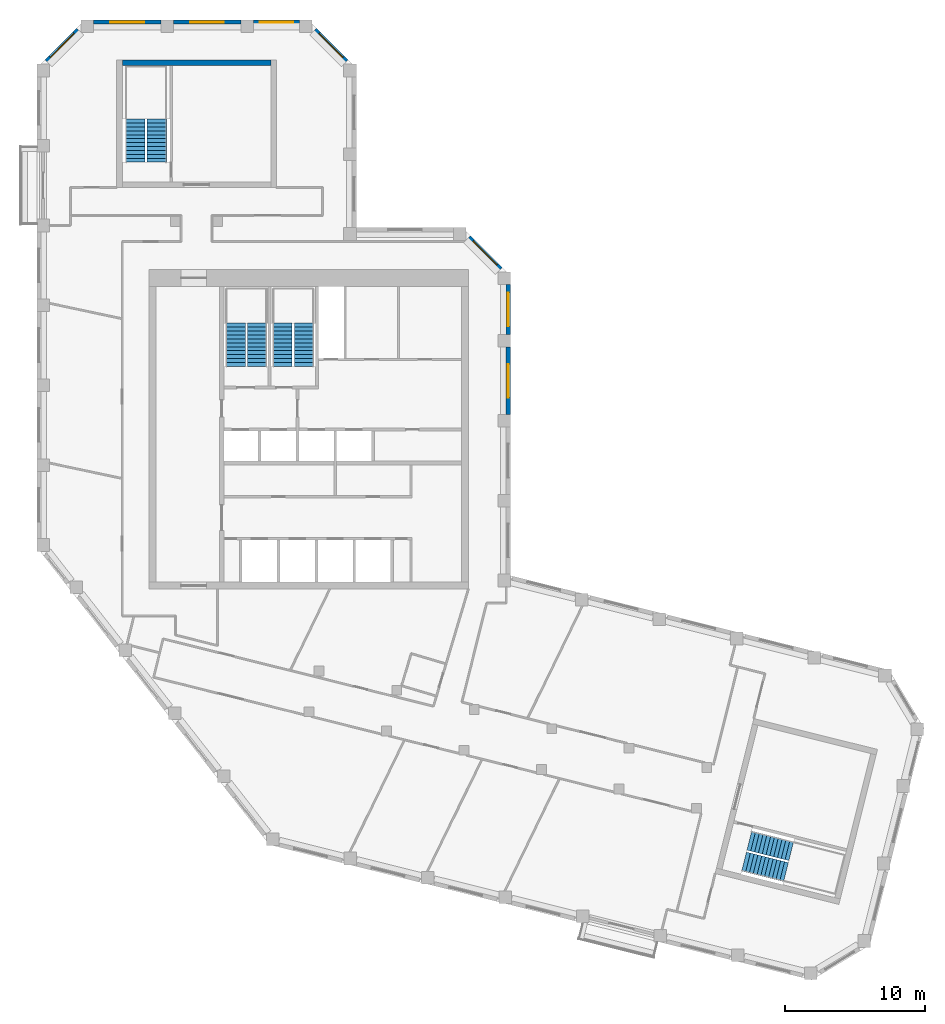
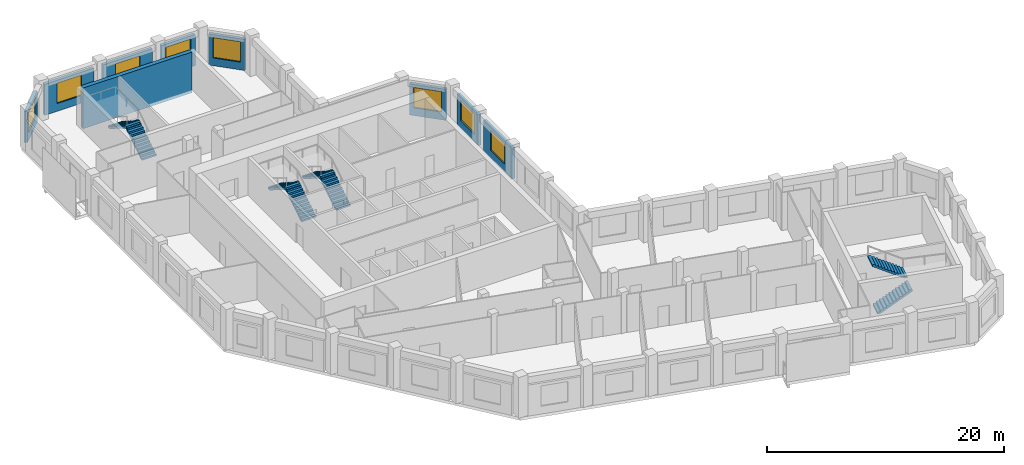
# One storey, part 7 of 8: 9 walls, 8 stair flights, 8 windows, 8 openings, 4 elements without a shape of their own.
"""IFC4 building model written with IfcOpenShell, lengths in metres."""

import ifcopenshell
import ifcopenshell.guid

model = None  # the IFC model being written
_history = None  # IfcOwnerHistory: only IFC2X3 demands one
_inside = {}  # id of a spatial element -> (the spatial element, [elements in it])
_under = {}  # id of a project, library or spatial element -> (it, [spatial elements below it])
_declared = {}  # id of a project -> (the project, [libraries it declares])
_typed = {}  # id of a type object -> (the type object, [elements of that type])
_made_of = {}  # id of a material, layer set ... -> (it, [elements and type objects made of it])


def new_model(schema):
    """Start an empty IFC model of exactly this schema.

    Asked for "IFC4X3", IfcOpenShell would pick the latest addendum, in which some entities
    have other attributes; the version numbers below select the first issue.
    IFC2X3 requires an IfcOwnerHistory on every rooted entity: one is made here for all.
    """
    global model, _history
    if schema == "IFC4X3":
        model = ifcopenshell.file(schema_version=(4, 3, 0, 0))
    else:
        model = ifcopenshell.file(schema=schema)
    _inside.clear()
    _under.clear()
    _declared.clear()
    _typed.clear()
    _made_of.clear()
    _history = None
    if model.schema == "IFC2X3":
        org = make("IfcOrganization", Name="unknown")
        user = make(
            "IfcPersonAndOrganization",
            ThePerson=make("IfcPerson", FamilyName="unknown"),
            TheOrganization=org,
        )
        app = make(
            "IfcApplication",
            ApplicationDeveloper=org,
            Version="unknown",
            ApplicationFullName="unknown",
            ApplicationIdentifier="unknown",
        )
        _history = make(
            "IfcOwnerHistory",
            OwningUser=user,
            OwningApplication=app,
            ChangeAction="ADDED",
            CreationDate=0,
        )
    return model


def make(cls, **values):
    """One entity of the class cls with the attributes given. An attribute that is None is left unset."""
    return model.create_entity(
        cls, **{name: value for name, value in values.items() if value is not None}
    )


def rooted(cls, **values):
    """An entity with a GlobalId (a new one), such as an element, a storey or a relation."""
    return make(cls, GlobalId=ifcopenshell.guid.new(), OwnerHistory=_history, **values)


def si_unit(unit_type, name, prefix=None):
    """IfcSIUnit, for example si_unit("LENGTHUNIT", "METRE", prefix="MILLI")."""
    return make("IfcSIUnit", UnitType=unit_type, Prefix=prefix, Name=name)


def assignment(units):
    """IfcUnitAssignment: the units of a project."""
    return None if units is None else make("IfcUnitAssignment", Units=units)


def point(xyz):
    """IfcCartesianPoint."""
    return None if xyz is None else make("IfcCartesianPoint", Coordinates=xyz)


def direction(xyz):
    """IfcDirection."""
    return None if xyz is None else make("IfcDirection", DirectionRatios=xyz)


def frame(location, z_axis=None, x_axis=None):
    """IfcAxis2Placement3D, a coordinate frame: its origin and axes. An axis left out is left unset."""
    return make(
        "IfcAxis2Placement3D",
        Location=point(location),
        Axis=direction(z_axis),
        RefDirection=direction(x_axis),
    )


def frame_2d(location, x_axis=None):
    """IfcAxis2Placement2D, a coordinate frame in the plane: its origin and x axis."""
    return make(
        "IfcAxis2Placement2D", Location=point(location), RefDirection=direction(x_axis)
    )


def origin():
    """The frame at (0, 0, 0) with its axes left unset."""
    return frame((0.0, 0.0, 0.0))


def place(relative_to, where):
    """IfcLocalPlacement: puts the frame where relative to a parent placement (None: the world)."""
    return make(
        "IfcLocalPlacement", PlacementRelTo=relative_to, RelativePlacement=where
    )


def context(
    kind, dimensions, precision=None, world=None, true_north=None, identifier=None
):
    """IfcGeometricRepresentationContext, for example the 3D "Model" context."""
    return make(
        "IfcGeometricRepresentationContext",
        ContextIdentifier=identifier,
        ContextType=kind,
        CoordinateSpaceDimension=dimensions,
        Precision=precision,
        WorldCoordinateSystem=world,
        TrueNorth=true_north,
    )


def subcontext(parent, identifier, kind, view, scale=None):
    """IfcGeometricRepresentationSubContext, for example "Body" below "Model"."""
    return make(
        "IfcGeometricRepresentationSubContext",
        ContextIdentifier=identifier,
        ContextType=kind,
        ParentContext=parent,
        TargetScale=scale,
        TargetView=view,
    )


def project(units=None, contexts=None):
    """IfcProject with its units and contexts."""
    return rooted(
        "IfcProject",
        Name="project",
        RepresentationContexts=contexts,
        UnitsInContext=assignment(units),
    )


def spatial(cls, under=None, at=None, **own):
    """A site, building, storey or space (cls), placed at a placement, below another one or the project."""
    s = rooted(cls, ObjectPlacement=at, **own)
    if under is not None:
        _under.setdefault(under.id(), (under, []))[1].append(s)
    return s


def polyline(points):
    """IfcPolyline through the points."""
    return make("IfcPolyline", Points=[point(p) for p in points])


def profile(cls, at=None, kind="AREA", **sizes):
    """A parametric profile (cls). Its sizes go by their IFC names, for example OverallWidth=200.0."""
    return make(cls, ProfileType=kind, Position=at, **sizes)


def rectangle(**sizes):
    """IfcRectangleProfileDef."""
    return profile("IfcRectangleProfileDef", **sizes)


def outline(outer, holes=None, kind="AREA"):
    """IfcArbitraryClosedProfileDef: a profile drawn as a closed curve; with holes, ...WithVoids."""
    if holes is None:
        return make("IfcArbitraryClosedProfileDef", ProfileType=kind, OuterCurve=outer)
    return make(
        "IfcArbitraryProfileDefWithVoids",
        ProfileType=kind,
        OuterCurve=outer,
        InnerCurves=holes,
    )


def extrude(swept, where, along, depth):
    """IfcExtrudedAreaSolid: the profile swept, set in the frame where, extruded along a direction by depth."""
    return make(
        "IfcExtrudedAreaSolid",
        SweptArea=swept,
        Position=where,
        ExtrudedDirection=direction(along),
        Depth=depth,
    )


def shape(context_of_items, identifier, shape_type, items):
    """IfcShapeRepresentation: the items that make up one representation, for example the "Body"."""
    return make(
        "IfcShapeRepresentation",
        ContextOfItems=context_of_items,
        RepresentationIdentifier=identifier,
        RepresentationType=shape_type,
        Items=items,
    )


def material(Name=None, Category=None):
    """IfcMaterial."""
    return make("IfcMaterial", Name=Name, Category=Category)


def layer(
    of_material, thickness, ventilated=None, Name=None, Category=None, Priority=None
):
    """IfcMaterialLayer: one layer of a wall or slab, of a material (None: an air gap)."""
    return make(
        "IfcMaterialLayer",
        Material=of_material,
        LayerThickness=thickness,
        IsVentilated=ventilated,
        Name=Name,
        Category=Category,
        Priority=Priority,
    )


def layer_set(layers, Name=None):
    """IfcMaterialLayerSet."""
    return make("IfcMaterialLayerSet", MaterialLayers=layers, LayerSetName=Name)


def made_of(thing, what):
    """Note that an element or type object is made of a material, layer set ...; save() writes the relation."""
    if what is not None:
        _made_of.setdefault(what.id(), (what, []))[1].append(thing)
    return thing


def type_object(cls, material=None, **own):
    """A type object (cls), such as IfcWallType, which elements share."""
    return made_of(rooted(cls, **own), material)


def element(
    cls,
    number,
    at=None,
    inside=None,
    cuts=None,
    type_object=None,
    material=None,
    context=None,
    identifier="Body",
    shape_type=None,
    held_by="IfcProductDefinitionShape",
    body=None,
    shapes=None,
    **own,
):
    """One element of the class cls, such as IfcWall. Its Tag is "e" and its number.

    at: its placement. inside: the storey or other place that contains it. cuts: it is an
    opening in that element (IfcRelVoidsElement). A single representation is given by context,
    identifier, shape_type and body (its items); several are given by shapes. held_by: the class
    of the entity that holds the representations. save() writes the other relations.
    """
    e = rooted(cls, Tag="e%d" % number, ObjectPlacement=at, **own)
    if body is not None:
        shapes = [shape(context, identifier, shape_type, body)]
    if shapes is not None:
        e.Representation = make(held_by, Representations=shapes)
    if inside is not None:
        _inside.setdefault(inside.id(), (inside, []))[1].append(e)
    if cuts is not None:
        rooted(
            "IfcRelVoidsElement", RelatingBuildingElement=cuts, RelatedOpeningElement=e
        )
    if type_object is not None:
        _typed.setdefault(type_object.id(), (type_object, []))[1].append(e)
    return made_of(e, material)


def fill(opening, filler):
    """IfcRelFillsElement: the door or window that sits in an opening."""
    return rooted(
        "IfcRelFillsElement",
        RelatingOpeningElement=opening,
        RelatedBuildingElement=filler,
    )


def aggregate(whole, parts):
    """IfcRelAggregates: a whole, such as a stair, and the parts it consists of."""
    return rooted("IfcRelAggregates", RelatingObject=whole, RelatedObjects=parts)


def save(model, path):
    """Write the relations noted so far, then the file.

    IfcRelAggregates (storeys below a building ...), IfcRelContainedInSpatialStructure (elements
    in a storey), IfcRelDefinesByType, IfcRelAssociatesMaterial and IfcRelDeclares: one each for
    every whole, place, type object, material and project.
    """
    for whole, parts in _under.values():
        aggregate(whole, parts)
    for where, things in _inside.values():
        rooted(
            "IfcRelContainedInSpatialStructure",
            RelatedElements=things,
            RelatingStructure=where,
        )
    for kind, things in _typed.values():
        rooted("IfcRelDefinesByType", RelatedObjects=things, RelatingType=kind)
    for what, things in _made_of.values():
        rooted("IfcRelAssociatesMaterial", RelatedObjects=things, RelatingMaterial=what)
    for by, libraries in _declared.values():
        rooted("IfcRelDeclares", RelatingContext=by, RelatedDefinitions=libraries)
    model.write(path)


model = new_model("IFC4")

# Units and contexts
model_context = context("Model", 3, precision=1e-05, world=origin(), true_north=direction((0.0, 1.0)))
body_context = subcontext(model_context, "Body", "Model", "MODEL_VIEW")
ifc_project = project(units=[si_unit("LENGTHUNIT", "METRE"), si_unit("AREAUNIT", "SQUARE_METRE"), si_unit("VOLUMEUNIT", "CUBIC_METRE"), si_unit("PLANEANGLEUNIT", "RADIAN"), si_unit("MASSUNIT", "GRAM", prefix="KILO")], contexts=[model_context])

# Site, building, storey
site_placement = place(None, origin())
site = spatial("IfcSite", under=ifc_project, at=site_placement, CompositionType="ELEMENT")
building_placement = place(site_placement, origin())
building = spatial("IfcBuilding", under=site, at=building_placement, Name="Meshkara Civic Tower", CompositionType="ELEMENT")
storey_placement = place(building_placement, frame((0.0, 0.0, 375.0)))
storey = spatial("IfcBuildingStorey", under=building, at=storey_placement, Name="L86", CompositionType="ELEMENT", Elevation=375.0)

# Wall, opening, window
ifc_material_1 = material(Name="Insulated infill panel with bronze anodised aluminium cladding", Category="aluminium")
ifc_layer_1 = layer(ifc_material_1, 0.300048828125)
ifc_layer_set_1 = layer_set([ifc_layer_1], Name="EXTERNAL INFILL WALL 300")
wall_type_1 = type_object("IfcWallType", Name="EXTERNAL INFILL WALL 300", PredefinedType="SOLIDWALL", material=ifc_layer_set_1)
wall_1_placement = place(storey_placement, frame((33.64990234375, 26.569091796875, 0.0), z_axis=(0.0, 0.0, 1.0), x_axis=(0.0, 1.0, 0.0)))
wall_1 = element("IfcWall", 1, at=wall_1_placement, inside=storey, type_object=wall_type_1, Name="External wall", PredefinedType="SOLIDWALL", context=body_context, shape_type="SweptSolid", body=[
    extrude(rectangle(XDim=4.7998046875, YDim=0.300048828125, at=frame_2d((2.39990234375, 0.0))), origin(), (0.0, 0.0, 1.0), 3.199951171875),
])
opening_1_placement = place(wall_1_placement, frame((1.199951171875, 0.0, 0.800048828125)))
opening_1 = element("IfcOpeningElement", 2, at=opening_1_placement, cuts=wall_1, Name="Opening W7", PredefinedType="OPENING", context=body_context, shape_type="SweptSolid", body=[
    extrude(rectangle(XDim=2.39990234375, YDim=2.10009765625, at=frame_2d((1.199951171875, 1.050048828125))), frame((0.0, 0.159912109375, 0.0), z_axis=(0.0, -1.0, 0.0), x_axis=(1.0, 0.0, 0.0)), (0.0, 0.0, 1.0), 0.320068359375),
])
ifc_material_2 = material(Name="Tinted double glazing", Category="glass")
window_type = type_object("IfcWindowType", Name="WINDOW 2400x2100", PartitioningType="DOUBLE_PANEL_VERTICAL", PredefinedType="WINDOW", material=ifc_material_2)
window_1_placement = place(opening_1_placement, origin())
window_1 = element("IfcWindow", 3, at=window_1_placement, inside=storey, type_object=window_type, Name="Window", OverallHeight=2.10009765625, OverallWidth=2.39990234375, PartitioningType="DOUBLE_PANEL_VERTICAL", PredefinedType="WINDOW", context=body_context, shape_type="SweptSolid", body=[
    extrude(rectangle(XDim=2.39990234375, YDim=2.10009765625, at=frame_2d((1.199951171875, 1.050048828125))), frame((0.0, 0.030029296875, 0.0), z_axis=(0.0, -1.0, 0.0), x_axis=(1.0, 0.0, 0.0)), (0.0, 0.0, 1.0), 0.06005859375),
])
fill(opening_1, window_1)

wall_2_placement = place(storey_placement, frame((33.64990234375, 32.26904296875, 0.0), z_axis=(0.0, 0.0, 1.0), x_axis=(0.0, 1.0, 0.0)))
wall_2 = element("IfcWall", 4, at=wall_2_placement, inside=storey, type_object=wall_type_1, Name="External wall", PredefinedType="SOLIDWALL", context=body_context, shape_type="SweptSolid", body=[
    extrude(rectangle(XDim=3.574951171875, YDim=0.300048828125, at=frame_2d((1.78759765625, 0.0))), origin(), (0.0, 0.0, 1.0), 3.199951171875),
])
opening_2_placement = place(wall_2_placement, frame((0.587890625, 0.0, 0.800048828125)))
opening_2 = element("IfcOpeningElement", 5, at=opening_2_placement, cuts=wall_2, Name="Opening W7", PredefinedType="OPENING", context=body_context, shape_type="SweptSolid", body=[
    extrude(rectangle(XDim=2.39990234375, YDim=2.10009765625, at=frame_2d((1.199951171875, 1.050048828125))), frame((0.0, 0.159912109375, 0.0), z_axis=(0.0, -1.0, 0.0), x_axis=(1.0, 0.0, 0.0)), (0.0, 0.0, 1.0), 0.320068359375),
])
window_2_placement = place(opening_2_placement, origin())
window_2 = element("IfcWindow", 6, at=window_2_placement, inside=storey, type_object=window_type, Name="Window", OverallHeight=2.10009765625, OverallWidth=2.39990234375, PartitioningType="DOUBLE_PANEL_VERTICAL", PredefinedType="WINDOW", context=body_context, shape_type="SweptSolid", body=[
    extrude(rectangle(XDim=2.39990234375, YDim=2.10009765625, at=frame_2d((1.199951171875, 1.050048828125))), frame((0.0, 0.030029296875, 0.0), z_axis=(0.0, -1.0, 0.0), x_axis=(1.0, 0.0, 0.0)), (0.0, 0.0, 1.0), 0.06005859375),
])
fill(opening_2, window_2)

wall_3_placement = place(storey_placement, frame((33.112060546875, 36.9560546875, 0.0), z_axis=(0.0, 0.0, 1.0), x_axis=(-0.707145041435, 0.707068518868, 0.0)))
wall_3 = element("IfcWall", 7, at=wall_3_placement, inside=storey, type_object=wall_type_1, Name="External wall", PredefinedType="SOLIDWALL", context=body_context, shape_type="SweptSolid", body=[
    extrude(rectangle(XDim=3.1904296875, YDim=0.300048828125, at=frame_2d((1.59521484375, 0.0))), origin(), (0.0, 0.0, 1.0), 3.199951171875),
])
opening_3_placement = place(wall_3_placement, frame((0.39501953125, 0.0, 0.800048828125)))
opening_3 = element("IfcOpeningElement", 8, at=opening_3_placement, cuts=wall_3, Name="Opening W7", PredefinedType="OPENING", context=body_context, shape_type="SweptSolid", body=[
    extrude(rectangle(XDim=2.39990234375, YDim=2.10009765625, at=frame_2d((1.199951171875, 1.050048828125))), frame((0.0, 0.159912109375, 0.0), z_axis=(0.0, -1.0, 0.0), x_axis=(1.0, 0.0, 0.0)), (0.0, 0.0, 1.0), 0.320068359375),
])
window_3_placement = place(opening_3_placement, origin())
window_3 = element("IfcWindow", 9, at=window_3_placement, inside=storey, type_object=window_type, Name="Window", OverallHeight=2.10009765625, OverallWidth=2.39990234375, PartitioningType="DOUBLE_PANEL_VERTICAL", PredefinedType="WINDOW", context=body_context, shape_type="SweptSolid", body=[
    extrude(rectangle(XDim=2.39990234375, YDim=2.10009765625, at=frame_2d((1.199951171875, 1.050048828125))), frame((0.0, 0.030029296875, 0.0), z_axis=(0.0, -1.0, 0.0), x_axis=(1.0, 0.0, 0.0)), (0.0, 0.0, 1.0), 0.06005859375),
])
fill(opening_3, window_3)

wall_4_placement = place(storey_placement, frame((22.112060546875, 51.77587890625, 0.0), z_axis=(0.0, 0.0, 1.0), x_axis=(-0.707106781187, 0.707106781187, 0.0)))
wall_4 = element("IfcWall", 10, at=wall_4_placement, inside=storey, type_object=wall_type_1, Name="External wall", PredefinedType="SOLIDWALL", context=body_context, shape_type="SweptSolid", body=[
    extrude(rectangle(XDim=3.190673828125, YDim=0.300048828125, at=frame_2d((1.59521484375, 0.0))), origin(), (0.0, 0.0, 1.0), 3.199951171875),
])
opening_4_placement = place(wall_4_placement, frame((0.39501953125, 0.0, 0.800048828125)))
opening_4 = element("IfcOpeningElement", 11, at=opening_4_placement, cuts=wall_4, Name="Opening W7", PredefinedType="OPENING", context=body_context, shape_type="SweptSolid", body=[
    extrude(rectangle(XDim=2.39990234375, YDim=2.10009765625, at=frame_2d((1.199951171875, 1.050048828125))), frame((0.0, 0.159912109375, 0.0), z_axis=(0.0, -1.0, 0.0), x_axis=(1.0, 0.0, 0.0)), (0.0, 0.0, 1.0), 0.320068359375),
])
window_4_placement = place(opening_4_placement, origin())
window_4 = element("IfcWindow", 12, at=window_4_placement, inside=storey, type_object=window_type, Name="Window", OverallHeight=2.10009765625, OverallWidth=2.39990234375, PartitioningType="DOUBLE_PANEL_VERTICAL", PredefinedType="WINDOW", context=body_context, shape_type="SweptSolid", body=[
    extrude(rectangle(XDim=2.39990234375, YDim=2.10009765625, at=frame_2d((1.199951171875, 1.050048828125))), frame((0.0, 0.030029296875, 0.0), z_axis=(0.0, -1.0, 0.0), x_axis=(1.0, 0.0, 0.0)), (0.0, 0.0, 1.0), 0.06005859375),
])
fill(opening_4, window_4)

wall_5_placement = place(storey_placement, frame((18.743896484375, 54.570068359375, 0.0), z_axis=(0.0, 0.0, 1.0), x_axis=(-1.0, 0.0, 0.0)))
wall_5 = element("IfcWall", 13, at=wall_5_placement, inside=storey, type_object=wall_type_1, Name="External wall", PredefinedType="SOLIDWALL", context=body_context, shape_type="SweptSolid", body=[
    extrude(rectangle(XDim=3.287841796875, YDim=0.300048828125, at=frame_2d((1.64404296875, 0.0))), origin(), (0.0, 0.0, 1.0), 3.199951171875),
])
opening_5_placement = place(wall_5_placement, frame((0.444091796875, 0.0, 0.800048828125)))
opening_5 = element("IfcOpeningElement", 14, at=opening_5_placement, cuts=wall_5, Name="Opening W7", PredefinedType="OPENING", context=body_context, shape_type="SweptSolid", body=[
    extrude(rectangle(XDim=2.39990234375, YDim=2.10009765625, at=frame_2d((1.199951171875, 1.050048828125))), frame((0.0, 0.159912109375, 0.0), z_axis=(0.0, -1.0, 0.0), x_axis=(1.0, 0.0, 0.0)), (0.0, 0.0, 1.0), 0.320068359375),
])
window_5_placement = place(opening_5_placement, origin())
window_5 = element("IfcWindow", 15, at=window_5_placement, inside=storey, type_object=window_type, Name="Window", OverallHeight=2.10009765625, OverallWidth=2.39990234375, PartitioningType="DOUBLE_PANEL_VERTICAL", PredefinedType="WINDOW", context=body_context, shape_type="SweptSolid", body=[
    extrude(rectangle(XDim=2.39990234375, YDim=2.10009765625, at=frame_2d((1.199951171875, 1.050048828125))), frame((0.0, 0.030029296875, 0.0), z_axis=(0.0, -1.0, 0.0), x_axis=(1.0, 0.0, 0.0)), (0.0, 0.0, 1.0), 0.06005859375),
])
fill(opening_5, window_5)

wall_6_placement = place(storey_placement, frame((14.555908203125, 54.570068359375, 0.0), z_axis=(0.0, 0.0, 1.0), x_axis=(-1.0, 0.0, 0.0)))
wall_6 = element("IfcWall", 16, at=wall_6_placement, inside=storey, type_object=wall_type_1, Name="External wall", PredefinedType="SOLIDWALL", context=body_context, shape_type="SweptSolid", body=[
    extrude(rectangle(XDim=4.7998046875, YDim=0.300048828125, at=frame_2d((2.39990234375, 0.0))), origin(), (0.0, 0.0, 1.0), 3.199951171875),
])
opening_6_placement = place(wall_6_placement, frame((1.199951171875, 0.0, 0.800048828125)))
opening_6 = element("IfcOpeningElement", 17, at=opening_6_placement, cuts=wall_6, Name="Opening W7", PredefinedType="OPENING", context=body_context, shape_type="SweptSolid", body=[
    extrude(rectangle(XDim=2.39990234375, YDim=2.10009765625, at=frame_2d((1.199951171875, 1.050048828125))), frame((0.0, 0.159912109375, 0.0), z_axis=(0.0, -1.0, 0.0), x_axis=(1.0, 0.0, 0.0)), (0.0, 0.0, 1.0), 0.320068359375),
])
window_6_placement = place(opening_6_placement, origin())
window_6 = element("IfcWindow", 18, at=window_6_placement, inside=storey, type_object=window_type, Name="Window", OverallHeight=2.10009765625, OverallWidth=2.39990234375, PartitioningType="DOUBLE_PANEL_VERTICAL", PredefinedType="WINDOW", context=body_context, shape_type="SweptSolid", body=[
    extrude(rectangle(XDim=2.39990234375, YDim=2.10009765625, at=frame_2d((1.199951171875, 1.050048828125))), frame((0.0, 0.030029296875, 0.0), z_axis=(0.0, -1.0, 0.0), x_axis=(1.0, 0.0, 0.0)), (0.0, 0.0, 1.0), 0.06005859375),
])
fill(opening_6, window_6)

wall_7_placement = place(storey_placement, frame((8.85595703125, 54.570068359375, 0.0), z_axis=(0.0, 0.0, 1.0), x_axis=(-1.0, 0.0, 0.0)))
wall_7 = element("IfcWall", 19, at=wall_7_placement, inside=storey, type_object=wall_type_1, Name="External wall", PredefinedType="SOLIDWALL", context=body_context, shape_type="SweptSolid", body=[
    extrude(rectangle(XDim=4.800048828125, YDim=0.300048828125, at=frame_2d((2.39990234375, 0.0))), origin(), (0.0, 0.0, 1.0), 3.199951171875),
])
opening_7_placement = place(wall_7_placement, frame((1.199951171875, 0.0, 0.800048828125)))
opening_7 = element("IfcOpeningElement", 20, at=opening_7_placement, cuts=wall_7, Name="Opening W7", PredefinedType="OPENING", context=body_context, shape_type="SweptSolid", body=[
    extrude(rectangle(XDim=2.39990234375, YDim=2.10009765625, at=frame_2d((1.199951171875, 1.050048828125))), frame((0.0, 0.159912109375, 0.0), z_axis=(0.0, -1.0, 0.0), x_axis=(1.0, 0.0, 0.0)), (0.0, 0.0, 1.0), 0.320068359375),
])
window_7_placement = place(opening_7_placement, origin())
window_7 = element("IfcWindow", 21, at=window_7_placement, inside=storey, type_object=window_type, Name="Window", OverallHeight=2.10009765625, OverallWidth=2.39990234375, PartitioningType="DOUBLE_PANEL_VERTICAL", PredefinedType="WINDOW", context=body_context, shape_type="SweptSolid", body=[
    extrude(rectangle(XDim=2.39990234375, YDim=2.10009765625, at=frame_2d((1.199951171875, 1.050048828125))), frame((0.0, 0.030029296875, 0.0), z_axis=(0.0, -1.0, 0.0), x_axis=(1.0, 0.0, 0.0)), (0.0, 0.0, 1.0), 0.06005859375),
])
fill(opening_7, window_7)

wall_8_placement = place(storey_placement, frame((2.944091796875, 54.031982421875, 0.0), z_axis=(0.0, 0.0, 1.0), x_axis=(-0.707106781187, -0.707106781187, 0.0)))
wall_8 = element("IfcWall", 22, at=wall_8_placement, inside=storey, type_object=wall_type_1, Name="External wall", PredefinedType="SOLIDWALL", context=body_context, shape_type="SweptSolid", body=[
    extrude(rectangle(XDim=3.190673828125, YDim=0.300048828125, at=frame_2d((1.59521484375, 0.0))), origin(), (0.0, 0.0, 1.0), 3.199951171875),
])
opening_8_placement = place(wall_8_placement, frame((0.39501953125, 0.0, 0.800048828125)))
opening_8 = element("IfcOpeningElement", 23, at=opening_8_placement, cuts=wall_8, Name="Opening W7", PredefinedType="OPENING", context=body_context, shape_type="SweptSolid", body=[
    extrude(rectangle(XDim=2.39990234375, YDim=2.10009765625, at=frame_2d((1.199951171875, 1.050048828125))), frame((0.0, 0.159912109375, 0.0), z_axis=(0.0, -1.0, 0.0), x_axis=(1.0, 0.0, 0.0)), (0.0, 0.0, 1.0), 0.320068359375),
])
window_8_placement = place(opening_8_placement, origin())
window_8 = element("IfcWindow", 24, at=window_8_placement, inside=storey, type_object=window_type, Name="Window", OverallHeight=2.10009765625, OverallWidth=2.39990234375, PartitioningType="DOUBLE_PANEL_VERTICAL", PredefinedType="WINDOW", context=body_context, shape_type="SweptSolid", body=[
    extrude(rectangle(XDim=2.39990234375, YDim=2.10009765625, at=frame_2d((1.199951171875, 1.050048828125))), frame((0.0, 0.030029296875, 0.0), z_axis=(0.0, -1.0, 0.0), x_axis=(1.0, 0.0, 0.0)), (0.0, 0.0, 1.0), 0.06005859375),
])
fill(opening_8, window_8)

# Wall
ifc_material_3 = material(Name="Concrete C50", Category="concrete")
ifc_layer_2 = layer(ifc_material_3, 0.39990234375)
ifc_layer_set_2 = layer_set([ifc_layer_2], Name="End core ring wall 400 C50")
wall_type_2 = type_object("IfcWallType", Name="End core ring wall 400 C50", PredefinedType="SHEAR", material=ifc_layer_set_2)
wall_9_placement = place(storey_placement, frame((6.10009765625, 51.669921875, -0.300048828125), z_axis=(0.0, 0.0, 1.0), x_axis=(1.0, 0.0, 0.0)))
element("IfcWall", 25, at=wall_9_placement, inside=storey, type_object=wall_type_2, Name="L86-C030", PredefinedType="SHEAR", context=body_context, shape_type="SweptSolid", body=[
    extrude(rectangle(XDim=10.599853515625, YDim=0.39990234375, at=frame_2d((5.2998046875, 0.0))), origin(), (0.0, 0.0, 1.0), 4.199951171875),
])

# Stair, stair flights
ifc_material_4 = material(Name="Precast concrete C40/50", Category="concrete")
stair_type = type_object("IfcStairType", Name="Exit stair half-turn 24 risers precast", PredefinedType="HALF_TURN_STAIR", material=ifc_material_4)
stair_1_placement = place(storey_placement, origin())
stair_1 = element("IfcStair", 26, at=stair_1_placement, inside=storey, type_object=stair_type, Name="L86 exit stair 1", PredefinedType="HALF_TURN_STAIR")
ifc_material_5 = material(Name="Precast concrete C40/50", Category="concrete")
stair_flight_type = type_object("IfcStairFlightType", Name="Exit stair flight 12 risers precast", PredefinedType="STRAIGHT", material=ifc_material_5)
stair_flight_1_placement = place(storey_placement, frame((15.72509765625, 30.0, 0.0), z_axis=(0.0, 0.0, 1.0), x_axis=(0.0, 1.0, 0.0)))
stair_flight_1 = element("IfcStairFlight", 27, at=stair_flight_1_placement, type_object=stair_flight_type, Name="ST1 flight 1", NumberOfRisers=12, NumberOfTreads=11, PredefinedType="STRAIGHT", RiserHeight=0.175, TreadLength=0.28, context=body_context, shape_type="SweptSolid", body=[
    extrude(outline(polyline([(0.0, 0.0), (0.0, 0.175048828125), (0.280029296875, 0.175048828125), (0.280029296875, 0.35009765625), (0.56005859375, 0.35009765625), (0.56005859375, 0.52490234375), (0.840087890625, 0.52490234375), (0.840087890625, 0.699951171875), (1.1201171875, 0.699951171875), (1.1201171875, 0.875), (1.39990234375, 0.875), (1.39990234375, 1.050048828125), (1.679931640625, 1.050048828125), (1.679931640625, 1.22509765625), (1.9599609375, 1.22509765625), (1.9599609375, 1.39990234375), (2.239990234375, 1.39990234375), (2.239990234375, 1.574951171875), (2.52001953125, 1.574951171875), (2.52001953125, 1.75), (2.800048828125, 1.75), (2.800048828125, 1.925048828125), (3.080078125, 1.925048828125), (3.080078125, 2.10009765625), (3.080078125, 1.748291015625), (0.28271484375, 0.0), (0.0, 0.0)])), frame((0.0, 0.699951171875, 0.0), z_axis=(0.0, -1.0, 0.0), x_axis=(1.0, 0.0, 0.0)), (0.0, 0.0, 1.0), 1.39990234375),
])
stair_flight_2_placement = place(storey_placement, frame((14.175048828125, 33.080078125, 2.10009765625), z_axis=(0.0, 0.0, 1.0), x_axis=(0.0, -1.0, 0.0)))
stair_flight_2 = element("IfcStairFlight", 28, at=stair_flight_2_placement, type_object=stair_flight_type, Name="ST1 flight 2", NumberOfRisers=12, NumberOfTreads=11, PredefinedType="STRAIGHT", RiserHeight=0.175, TreadLength=0.28, context=body_context, shape_type="SweptSolid", body=[
    extrude(outline(polyline([(0.0, 0.0), (0.0, 0.175048828125), (0.280029296875, 0.175048828125), (0.280029296875, 0.35009765625), (0.56005859375, 0.35009765625), (0.56005859375, 0.52490234375), (0.840087890625, 0.52490234375), (0.840087890625, 0.699951171875), (1.1201171875, 0.699951171875), (1.1201171875, 0.875), (1.39990234375, 0.875), (1.39990234375, 1.050048828125), (1.679931640625, 1.050048828125), (1.679931640625, 1.22509765625), (1.9599609375, 1.22509765625), (1.9599609375, 1.39990234375), (2.239990234375, 1.39990234375), (2.239990234375, 1.574951171875), (2.52001953125, 1.574951171875), (2.52001953125, 1.75), (2.800048828125, 1.75), (2.800048828125, 1.925048828125), (3.080078125, 1.925048828125), (3.080078125, 2.10009765625), (3.080078125, 1.748291015625), (0.28271484375, 0.0), (0.0, 0.0)])), frame((0.0, 0.699951171875, 0.0), z_axis=(0.0, -1.0, 0.0), x_axis=(1.0, 0.0, 0.0)), (0.0, 0.0, 1.0), 1.39990234375),
])
aggregate(stair_1, [stair_flight_1, stair_flight_2])

stair_2_placement = place(storey_placement, origin())
stair_2 = element("IfcStair", 29, at=stair_2_placement, inside=storey, type_object=stair_type, Name="L86 exit stair 2", PredefinedType="HALF_TURN_STAIR")
stair_flight_3_placement = place(storey_placement, frame((19.074951171875, 30.0, 0.0), z_axis=(0.0, 0.0, 1.0), x_axis=(0.0, 1.0, 0.0)))
stair_flight_3 = element("IfcStairFlight", 30, at=stair_flight_3_placement, type_object=stair_flight_type, Name="ST2 flight 1", NumberOfRisers=12, NumberOfTreads=11, PredefinedType="STRAIGHT", RiserHeight=0.175, TreadLength=0.28, context=body_context, shape_type="SweptSolid", body=[
    extrude(outline(polyline([(0.0, 0.0), (0.0, 0.175048828125), (0.280029296875, 0.175048828125), (0.280029296875, 0.35009765625), (0.56005859375, 0.35009765625), (0.56005859375, 0.52490234375), (0.840087890625, 0.52490234375), (0.840087890625, 0.699951171875), (1.1201171875, 0.699951171875), (1.1201171875, 0.875), (1.39990234375, 0.875), (1.39990234375, 1.050048828125), (1.679931640625, 1.050048828125), (1.679931640625, 1.22509765625), (1.9599609375, 1.22509765625), (1.9599609375, 1.39990234375), (2.239990234375, 1.39990234375), (2.239990234375, 1.574951171875), (2.52001953125, 1.574951171875), (2.52001953125, 1.75), (2.800048828125, 1.75), (2.800048828125, 1.925048828125), (3.080078125, 1.925048828125), (3.080078125, 2.10009765625), (3.080078125, 1.748291015625), (0.28271484375, 0.0), (0.0, 0.0)])), frame((0.0, 0.699951171875, 0.0), z_axis=(0.0, -1.0, 0.0), x_axis=(1.0, 0.0, 0.0)), (0.0, 0.0, 1.0), 1.39990234375),
])
stair_flight_4_placement = place(storey_placement, frame((17.52490234375, 33.080078125, 2.10009765625), z_axis=(0.0, 0.0, 1.0), x_axis=(0.0, -1.0, 0.0)))
stair_flight_4 = element("IfcStairFlight", 31, at=stair_flight_4_placement, type_object=stair_flight_type, Name="ST2 flight 2", NumberOfRisers=12, NumberOfTreads=11, PredefinedType="STRAIGHT", RiserHeight=0.175, TreadLength=0.28, context=body_context, shape_type="SweptSolid", body=[
    extrude(outline(polyline([(0.0, 0.0), (0.0, 0.175048828125), (0.280029296875, 0.175048828125), (0.280029296875, 0.35009765625), (0.56005859375, 0.35009765625), (0.56005859375, 0.52490234375), (0.840087890625, 0.52490234375), (0.840087890625, 0.699951171875), (1.1201171875, 0.699951171875), (1.1201171875, 0.875), (1.39990234375, 0.875), (1.39990234375, 1.050048828125), (1.679931640625, 1.050048828125), (1.679931640625, 1.22509765625), (1.9599609375, 1.22509765625), (1.9599609375, 1.39990234375), (2.239990234375, 1.39990234375), (2.239990234375, 1.574951171875), (2.52001953125, 1.574951171875), (2.52001953125, 1.75), (2.800048828125, 1.75), (2.800048828125, 1.925048828125), (3.080078125, 1.925048828125), (3.080078125, 2.10009765625), (3.080078125, 1.748291015625), (0.28271484375, 0.0), (0.0, 0.0)])), frame((0.0, 0.699951171875, 0.0), z_axis=(0.0, -1.0, 0.0), x_axis=(1.0, 0.0, 0.0)), (0.0, 0.0, 1.0), 1.39990234375),
])
aggregate(stair_2, [stair_flight_3, stair_flight_4])

stair_3_placement = place(storey_placement, origin())
stair_3 = element("IfcStair", 32, at=stair_3_placement, inside=storey, type_object=stair_type, Name="L86 exit stair A from L80", PredefinedType="HALF_TURN_STAIR")
stair_flight_5_placement = place(storey_placement, frame((8.574951171875, 44.570068359375, 0.0), z_axis=(0.0, 0.0, 1.0), x_axis=(0.0, 1.0, 0.0)))
stair_flight_5 = element("IfcStairFlight", 33, at=stair_flight_5_placement, type_object=stair_flight_type, Name="ESA6 flight 1", NumberOfRisers=12, NumberOfTreads=11, PredefinedType="STRAIGHT", RiserHeight=0.175, TreadLength=0.28, context=body_context, shape_type="SweptSolid", body=[
    extrude(outline(polyline([(0.0, 0.0), (0.0, 0.175048828125), (0.280029296875, 0.175048828125), (0.280029296875, 0.35009765625), (0.56005859375, 0.35009765625), (0.56005859375, 0.52490234375), (0.840087890625, 0.52490234375), (0.840087890625, 0.699951171875), (1.1201171875, 0.699951171875), (1.1201171875, 0.875), (1.39990234375, 0.875), (1.39990234375, 1.050048828125), (1.679931640625, 1.050048828125), (1.679931640625, 1.22509765625), (1.9599609375, 1.22509765625), (1.9599609375, 1.39990234375), (2.239990234375, 1.39990234375), (2.239990234375, 1.574951171875), (2.52001953125, 1.574951171875), (2.52001953125, 1.75), (2.800048828125, 1.75), (2.800048828125, 1.925048828125), (3.080078125, 1.925048828125), (3.080078125, 2.10009765625), (3.080078125, 1.748291015625), (0.28271484375, 0.0), (0.0, 0.0)])), frame((0.0, 0.699951171875, 0.0), z_axis=(0.0, -1.0, 0.0), x_axis=(1.0, 0.0, 0.0)), (0.0, 0.0, 1.0), 1.39990234375),
])
stair_flight_6_placement = place(storey_placement, frame((7.02490234375, 47.64990234375, 2.10009765625), z_axis=(0.0, 0.0, 1.0), x_axis=(0.0, -1.0, 0.0)))
stair_flight_6 = element("IfcStairFlight", 34, at=stair_flight_6_placement, type_object=stair_flight_type, Name="ESA6 flight 2", NumberOfRisers=12, NumberOfTreads=11, PredefinedType="STRAIGHT", RiserHeight=0.175, TreadLength=0.28, context=body_context, shape_type="SweptSolid", body=[
    extrude(outline(polyline([(0.0, 0.0), (0.0, 0.175048828125), (0.280029296875, 0.175048828125), (0.280029296875, 0.35009765625), (0.56005859375, 0.35009765625), (0.56005859375, 0.52490234375), (0.840087890625, 0.52490234375), (0.840087890625, 0.699951171875), (1.1201171875, 0.699951171875), (1.1201171875, 0.875), (1.39990234375, 0.875), (1.39990234375, 1.050048828125), (1.679931640625, 1.050048828125), (1.679931640625, 1.22509765625), (1.9599609375, 1.22509765625), (1.9599609375, 1.39990234375), (2.239990234375, 1.39990234375), (2.239990234375, 1.574951171875), (2.52001953125, 1.574951171875), (2.52001953125, 1.75), (2.800048828125, 1.75), (2.800048828125, 1.925048828125), (3.080078125, 1.925048828125), (3.080078125, 2.10009765625), (3.080078125, 1.748291015625), (0.28271484375, 0.0), (0.0, 0.0)])), frame((0.0, 0.699951171875, 0.0), z_axis=(0.0, -1.0, 0.0), x_axis=(1.0, 0.0, 0.0)), (0.0, 0.0, 1.0), 1.39990234375),
])
aggregate(stair_3, [stair_flight_5, stair_flight_6])

stair_4_placement = place(storey_placement, origin())
stair_4 = element("IfcStair", 35, at=stair_4_placement, inside=storey, type_object=stair_type, Name="L86 exit stair B from L80", PredefinedType="HALF_TURN_STAIR")
stair_flight_7_placement = place(storey_placement, frame((50.47607421875, -5.344482421875, 0.0), z_axis=(0.0, 0.0, 1.0), x_axis=(0.9703185901, -0.241830175344, 0.0)))
stair_flight_7 = element("IfcStairFlight", 36, at=stair_flight_7_placement, type_object=stair_flight_type, Name="ESB6 flight 1", NumberOfRisers=12, NumberOfTreads=11, PredefinedType="STRAIGHT", RiserHeight=0.175, TreadLength=0.28, context=body_context, shape_type="SweptSolid", body=[
    extrude(outline(polyline([(0.0, 0.0), (0.0, 0.175048828125), (0.280029296875, 0.175048828125), (0.280029296875, 0.35009765625), (0.56005859375, 0.35009765625), (0.56005859375, 0.52490234375), (0.840087890625, 0.52490234375), (0.840087890625, 0.699951171875), (1.1201171875, 0.699951171875), (1.1201171875, 0.875), (1.39990234375, 0.875), (1.39990234375, 1.050048828125), (1.679931640625, 1.050048828125), (1.679931640625, 1.22509765625), (1.9599609375, 1.22509765625), (1.9599609375, 1.39990234375), (2.239990234375, 1.39990234375), (2.239990234375, 1.574951171875), (2.52001953125, 1.574951171875), (2.52001953125, 1.75), (2.800048828125, 1.75), (2.800048828125, 1.925048828125), (3.080078125, 1.925048828125), (3.080078125, 2.10009765625), (3.080078125, 1.748291015625), (0.28271484375, 0.0), (0.0, 0.0)])), frame((0.0, 0.699951171875, 0.0), z_axis=(0.0, -1.0, 0.0), x_axis=(1.0, 0.0, 0.0)), (0.0, 0.0, 1.0), 1.39990234375),
])
stair_flight_8_placement = place(storey_placement, frame((53.83935546875, -4.58544921875, 2.10009765625), z_axis=(0.0, 0.0, 1.0), x_axis=(-0.9703185901, 0.241830175344, 0.0)))
stair_flight_8 = element("IfcStairFlight", 37, at=stair_flight_8_placement, type_object=stair_flight_type, Name="ESB6 flight 2", NumberOfRisers=12, NumberOfTreads=11, PredefinedType="STRAIGHT", RiserHeight=0.175, TreadLength=0.28, context=body_context, shape_type="SweptSolid", body=[
    extrude(outline(polyline([(0.0, 0.0), (0.0, 0.175048828125), (0.280029296875, 0.175048828125), (0.280029296875, 0.35009765625), (0.56005859375, 0.35009765625), (0.56005859375, 0.52490234375), (0.840087890625, 0.52490234375), (0.840087890625, 0.699951171875), (1.1201171875, 0.699951171875), (1.1201171875, 0.875), (1.39990234375, 0.875), (1.39990234375, 1.050048828125), (1.679931640625, 1.050048828125), (1.679931640625, 1.22509765625), (1.9599609375, 1.22509765625), (1.9599609375, 1.39990234375), (2.239990234375, 1.39990234375), (2.239990234375, 1.574951171875), (2.52001953125, 1.574951171875), (2.52001953125, 1.75), (2.800048828125, 1.75), (2.800048828125, 1.925048828125), (3.080078125, 1.925048828125), (3.080078125, 2.10009765625), (3.080078125, 1.748291015625), (0.28271484375, 0.0), (0.0, 0.0)])), frame((0.0, 0.699951171875, 0.0), z_axis=(0.0, -1.0, 0.0), x_axis=(1.0, 0.0, 0.0)), (0.0, 0.0, 1.0), 1.39990234375),
])
aggregate(stair_4, [stair_flight_7, stair_flight_8])

save(model, "model.ifc")
